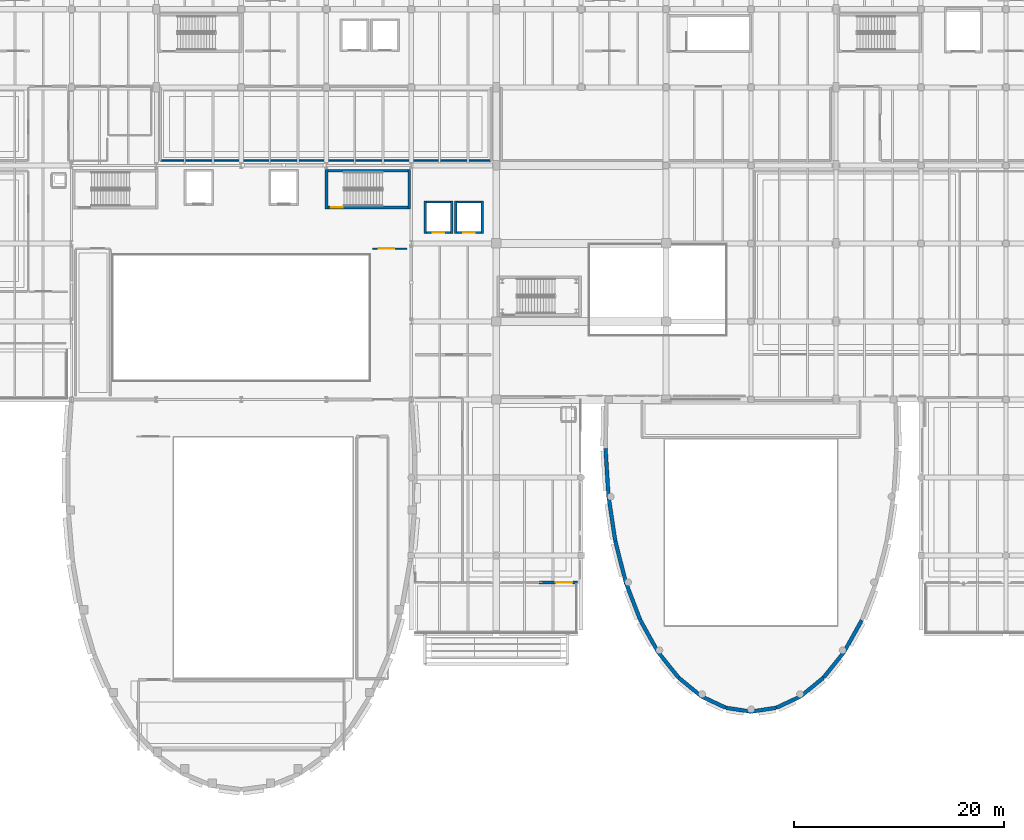
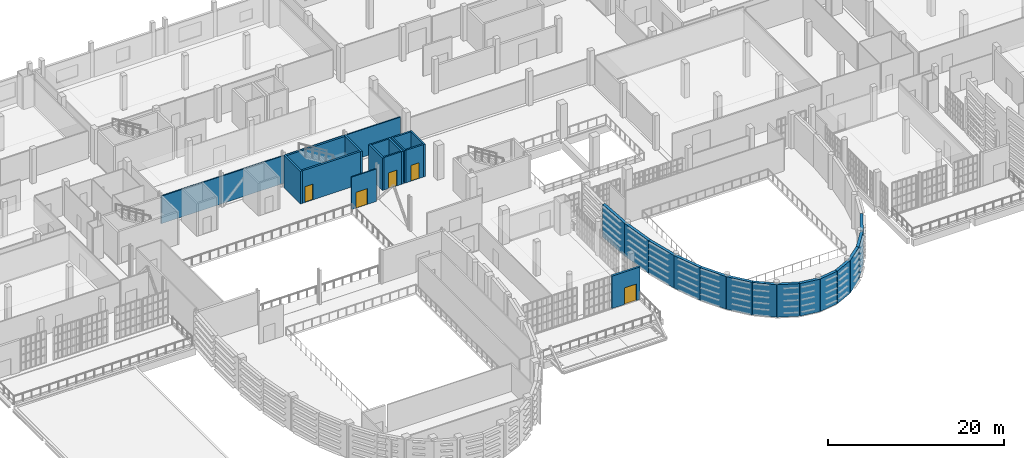
# One storey, part 89 of 104: 29 walls, 5 doors, 5 openings.
"""IFC4 building model written with IfcOpenShell, lengths in metres."""

from ifc_helpers import new_model, si_unit, direction, frame, frame_2d, origin, place, context, subcontext, project, spatial, rectangle, extrude, material, layer, layer_set, type_object, element, fill, save


model = new_model("IFC4")

# Units and contexts
model_context = context("Model", 3, precision=1e-05, world=origin(), true_north=direction((0.0, 1.0)))
body_context = subcontext(model_context, "Body", "Model", "MODEL_VIEW")
ifc_project = project(units=[si_unit("LENGTHUNIT", "METRE"), si_unit("AREAUNIT", "SQUARE_METRE"), si_unit("VOLUMEUNIT", "CUBIC_METRE"), si_unit("PLANEANGLEUNIT", "RADIAN"), si_unit("MASSUNIT", "GRAM", prefix="KILO")], contexts=[model_context])

# Site, building, storey
site_placement = place(None, origin())
site = spatial("IfcSite", under=ifc_project, at=site_placement, CompositionType="ELEMENT")
building_placement = place(site_placement, origin())
building = spatial("IfcBuilding", under=site, at=building_placement, Name="Kaelora Sail Theatre", CompositionType="ELEMENT")
storey_placement = place(building_placement, frame((0.0, 0.0, 5.39990234375)))
storey = spatial("IfcBuildingStorey", under=building, at=storey_placement, Name="L01", CompositionType="ELEMENT", Elevation=5.39990234375)

# Wall, opening, door
ifc_material_1 = material(Name="Concrete C40/50", Category="concrete")
ifc_layer_1 = layer(ifc_material_1, 0.25)
ifc_layer_set_1 = layer_set([ifc_layer_1], Name="Concrete C40/50")
wall_type_1 = type_object("IfcWallType", Name="ARC-WL-CW-250", PredefinedType="SHEAR", material=ifc_layer_set_1)
wall_1_placement = place(storey_placement, frame((50.2548828125, 79.324951171875, 0.0), z_axis=(0.0, 0.0, 1.0), x_axis=(1.0, 0.0, 0.0)))
wall_1 = element("IfcWall", 1, at=wall_1_placement, inside=storey, type_object=wall_type_1, Name="Stair shaft ST-K5 wall L01-S", PredefinedType="SHEAR", context=body_context, shape_type="SweptSolid", body=[
    extrude(rectangle(XDim=7.64013671875, YDim=0.25, at=frame_2d((3.820068359375, 0.0))), origin(), (0.0, 0.0, 1.0), 4.525146484375),
])
opening_1_placement = place(wall_1_placement, frame((0.320068359375, 0.0, 0.0)))
opening_1 = element("IfcOpeningElement", 2, at=opening_1_placement, cuts=wall_1, Name="Opening FD-02", PredefinedType="OPENING", context=body_context, shape_type="SweptSolid", body=[
    extrude(rectangle(XDim=1.10009765625, YDim=2.199951171875, at=frame_2d((0.550048828125, 1.10009765625))), frame((0.0, 0.135, 0.0), z_axis=(0.0, -1.0, 0.0), x_axis=(1.0, 0.0, 0.0)), (0.0, 0.0, 1.0), 0.27),
])
ifc_material_2 = material(Name="Acoustic steel single stair/lobby fire door EI 90-C", Category="steel")
door_type_1 = type_object("IfcDoorType", Name="ARC-DR-FD-02", OperationType="NOTDEFINED", PredefinedType="DOOR", material=ifc_material_2)
door_1_placement = place(opening_1_placement, origin())
door_1 = element("IfcDoor", 3, at=door_1_placement, inside=storey, type_object=door_type_1, Name="Stair ST-K5 door (L01)", OperationType="SINGLE_SWING_LEFT", OverallHeight=2.199951171875, OverallWidth=1.10009765625, PredefinedType="DOOR", context=body_context, shape_type="SweptSolid", body=[
    extrude(rectangle(XDim=1.10009765625, YDim=2.199951171875, at=frame_2d((0.550048828125, 1.10009765625))), frame((0.0, 0.02490234375, 0.0), z_axis=(0.0, -1.0, 0.0), x_axis=(1.0, 0.0, 0.0)), (0.0, 0.0, 1.0), 0.050048828125),
])
fill(opening_1, door_1)

# Walls
wall_2_placement = place(storey_placement, frame((50.2548828125, 82.824951171875, 0.0), z_axis=(0.0, 0.0, 1.0), x_axis=(1.0, 0.0, 0.0)))
element("IfcWall", 4, at=wall_2_placement, inside=storey, type_object=wall_type_1, Name="Stair shaft ST-K5 wall L01-N", PredefinedType="SHEAR", context=body_context, shape_type="SweptSolid", body=[
    extrude(rectangle(XDim=7.64013671875, YDim=0.25, at=frame_2d((3.820068359375, 0.0))), origin(), (0.0, 0.0, 1.0), 4.525146484375),
])
for number, where, z_axis, x_axis, name in (
    (5, (50.125, 79.199951171875, 0.0), (0.0, 0.0, 1.0), (0.0, 1.0, 0.0), "Stair shaft ST-K5 wall L01-W"),
    (6, (58.02490234375, 79.199951171875, 0.0), (0.0, 0.0, 1.0), (0.0, 1.0, 0.0), "Stair shaft ST-K5 wall L01-E"),
):
    element("IfcWall", number, at=place(storey_placement, frame(where, z_axis=z_axis, x_axis=x_axis)), inside=storey, type_object=wall_type_1, Name=name, PredefinedType="SHEAR", context=body_context, shape_type="SweptSolid", body=[
        extrude(rectangle(XDim=3.75, YDim=0.25, at=frame_2d((1.875, 0.0))), origin(), (0.0, 0.0, 1.0), 4.525146484375),
    ])
ifc_material_3 = material(Name="Concrete C45/55", Category="concrete")
ifc_layer_2 = layer(ifc_material_3, 0.360107421875)
ifc_layer_set_2 = layer_set([ifc_layer_2], Name="Concrete C45/55")
wall_type_2 = type_object("IfcWallType", Name="ARC-WL-DW-360", PredefinedType="SHEAR", material=ifc_layer_set_2)
wall_3_placement = place(storey_placement, frame((101.158203125, 39.9765625, 0.0), z_axis=(0.0, 0.0, 1.0), x_axis=(-0.4858221348, -0.874057694514, 0.0)))
element("IfcWall", 7, at=wall_3_placement, inside=storey, type_object=wall_type_2, Name="Studio Theatre Sail Drum curved drum acoustic wall L01 chord 6", PredefinedType="SHEAR", context=body_context, shape_type="SweptSolid", body=[
    extrude(rectangle(XDim=3.469970703125, YDim=0.360107421875, at=frame_2d((1.73486328125, 0.0))), origin(), (0.0, 0.0, 1.0), 4.525146484375),
])
wall_4_placement = place(storey_placement, frame((99.472412109375, 36.943603515625, 0.0), z_axis=(0.0, 0.0, 1.0), x_axis=(-0.626301385679, -0.779581024844, 0.0)))
element("IfcWall", 8, at=wall_4_placement, inside=storey, type_object=wall_type_2, Name="Studio Theatre Sail Drum curved drum acoustic wall L01 chord 7", PredefinedType="SHEAR", context=body_context, shape_type="SweptSolid", body=[
    extrude(rectangle(XDim=3.1298828125, YDim=0.360107421875, at=frame_2d((1.56494140625, 0.0))), origin(), (0.0, 0.0, 1.0), 4.525146484375),
])
wall_5_placement = place(storey_placement, frame((97.51220703125, 34.503662109375, 0.0), z_axis=(0.0, 0.0, 1.0), x_axis=(-0.772994903331, -0.634412231459, 0.0)))
element("IfcWall", 9, at=wall_5_placement, inside=storey, type_object=wall_type_2, Name="Studio Theatre Sail Drum curved drum acoustic wall L01 chord 8", PredefinedType="SHEAR", context=body_context, shape_type="SweptSolid", body=[
    extrude(rectangle(XDim=2.81689453125, YDim=0.360107421875, at=frame_2d((1.408447265625, 0.0))), origin(), (0.0, 0.0, 1.0), 4.525146484375),
])
wall_6_placement = place(storey_placement, frame((95.334716796875, 32.716552734375, 0.0), z_axis=(0.0, 0.0, 1.0), x_axis=(-0.905675487445, -0.423971592728, 0.0)))
element("IfcWall", 10, at=wall_6_placement, inside=storey, type_object=wall_type_2, Name="Studio Theatre Sail Drum curved drum acoustic wall L01 chord 9", PredefinedType="SHEAR", context=body_context, shape_type="SweptSolid", body=[
    extrude(rectangle(XDim=2.571044921875, YDim=0.360107421875, at=frame_2d((1.28564453125, 0.0))), origin(), (0.0, 0.0, 1.0), 4.525146484375),
])
for number, where, z_axis, x_axis, name in (
    (11, (93.006103515625, 31.62646484375, 0.0), (0.0, 0.0, 1.0), (-0.988599043905, -0.150572010645, 0.0), "Studio Theatre Sail Drum curved drum acoustic wall L01 chord 10"),
    (12, (90.60009765625, 31.260009765625, 0.0), (0.0, 0.0, 1.0), (-0.988599043905, 0.150572010645, 0.0), "Studio Theatre Sail Drum curved drum acoustic wall L01 chord 11"),
):
    element("IfcWall", number, at=place(storey_placement, frame(where, z_axis=z_axis, x_axis=x_axis)), inside=storey, type_object=wall_type_2, Name=name, PredefinedType="SHEAR", context=body_context, shape_type="SweptSolid", body=[
        extrude(rectangle(XDim=2.433837890625, YDim=0.360107421875, at=frame_2d((1.216796875, 0.0))), origin(), (0.0, 0.0, 1.0), 4.525146484375),
    ])
wall_7_placement = place(storey_placement, frame((88.194091796875, 31.62646484375, 0.0), z_axis=(0.0, 0.0, 1.0), x_axis=(-0.905692553487, 0.423935134848, 0.0)))
element("IfcWall", 13, at=wall_7_placement, inside=storey, type_object=wall_type_2, Name="Studio Theatre Sail Drum curved drum acoustic wall L01 chord 12", PredefinedType="SHEAR", context=body_context, shape_type="SweptSolid", body=[
    extrude(rectangle(XDim=2.5712890625, YDim=0.360107421875, at=frame_2d((1.28564453125, 0.0))), origin(), (0.0, 0.0, 1.0), 4.525146484375),
])
wall_8_placement = place(storey_placement, frame((85.865234375, 32.716552734375, 0.0), z_axis=(0.0, 0.0, 1.0), x_axis=(-0.772994903331, 0.634412231459, 0.0)))
element("IfcWall", 14, at=wall_8_placement, inside=storey, type_object=wall_type_2, Name="Studio Theatre Sail Drum curved drum acoustic wall L01 chord 13", PredefinedType="SHEAR", context=body_context, shape_type="SweptSolid", body=[
    extrude(rectangle(XDim=2.81689453125, YDim=0.360107421875, at=frame_2d((1.408447265625, 0.0))), origin(), (0.0, 0.0, 1.0), 4.525146484375),
])
wall_9_placement = place(storey_placement, frame((83.687744140625, 34.503662109375, 0.0), z_axis=(0.0, 0.0, 1.0), x_axis=(-0.62625397499, 0.779619111367, 0.0)))
element("IfcWall", 15, at=wall_9_placement, inside=storey, type_object=wall_type_2, Name="Studio Theatre Sail Drum curved drum acoustic wall L01 chord 14", PredefinedType="SHEAR", context=body_context, shape_type="SweptSolid", body=[
    extrude(rectangle(XDim=3.129638671875, YDim=0.360107421875, at=frame_2d((1.56494140625, 0.0))), origin(), (0.0, 0.0, 1.0), 4.525146484375),
])
wall_10_placement = place(storey_placement, frame((81.727783203125, 36.943603515625, 0.0), z_axis=(0.0, 0.0, 1.0), x_axis=(-0.4858221348, 0.874057694514, 0.0)))
element("IfcWall", 16, at=wall_10_placement, inside=storey, type_object=wall_type_2, Name="Studio Theatre Sail Drum curved drum acoustic wall L01 chord 15", PredefinedType="SHEAR", context=body_context, shape_type="SweptSolid", body=[
    extrude(rectangle(XDim=3.469970703125, YDim=0.360107421875, at=frame_2d((1.73486328125, 0.0))), origin(), (0.0, 0.0, 1.0), 4.525146484375),
])
wall_11_placement = place(storey_placement, frame((80.0419921875, 39.9765625, 0.0), z_axis=(0.0, 0.0, 1.0), x_axis=(-0.359301516444, 0.933221527978, 0.0)))
element("IfcWall", 17, at=wall_11_placement, inside=storey, type_object=wall_type_2, Name="Studio Theatre Sail Drum curved drum acoustic wall L01 chord 16", PredefinedType="SHEAR", context=body_context, shape_type="SweptSolid", body=[
    extrude(rectangle(XDim=3.80517578125, YDim=0.360107421875, at=frame_2d((1.902587890625, 0.0))), origin(), (0.0, 0.0, 1.0), 4.525146484375),
])
wall_12_placement = place(storey_placement, frame((78.6748046875, 43.527587890625, 0.0), z_axis=(0.0, 0.0, 1.0), x_axis=(-0.247662085518, 0.968846474627, 0.0)))
element("IfcWall", 18, at=wall_12_placement, inside=storey, type_object=wall_type_2, Name="Studio Theatre Sail Drum curved drum acoustic wall L01 chord 17", PredefinedType="SHEAR", context=body_context, shape_type="SweptSolid", body=[
    extrude(rectangle(XDim=4.109619140625, YDim=0.360107421875, at=frame_2d((2.0546875, 0.0))), origin(), (0.0, 0.0, 1.0), 4.525146484375),
])
wall_13_placement = place(storey_placement, frame((77.656982421875, 47.50927734375, 0.0), z_axis=(0.0, 0.0, 1.0), x_axis=(-0.149391002348, 0.988778199809, 0.0)))
element("IfcWall", 19, at=wall_13_placement, inside=storey, type_object=wall_type_2, Name="Studio Theatre Sail Drum curved drum acoustic wall L01 chord 18", PredefinedType="SHEAR", context=body_context, shape_type="SweptSolid", body=[
    extrude(rectangle(XDim=4.363525390625, YDim=0.360107421875, at=frame_2d((2.181640625, 0.0))), origin(), (0.0, 0.0, 1.0), 4.525146484375),
])
wall_14_placement = place(storey_placement, frame((77.005126953125, 51.82373046875, 0.0), z_axis=(0.0, 0.0, 1.0), x_axis=(-0.062087628492, 0.998070702099, 0.0)))
element("IfcWall", 20, at=wall_14_placement, inside=storey, type_object=wall_type_2, Name="Studio Theatre Sail Drum curved drum acoustic wall L01 chord 19", PredefinedType="SHEAR", context=body_context, shape_type="SweptSolid", body=[
    extrude(rectangle(XDim=4.549560546875, YDim=0.360107421875, at=frame_2d((2.27490234375, 0.0))), origin(), (0.0, 0.0, 1.0), 4.525146484375),
])

# Wall, opening, door
ifc_material_4 = material(Name="Precast concrete C45/55", Category="concrete")
ifc_layer_3 = layer(ifc_material_4, 0.280029296875)
ifc_layer_set_3 = layer_set([ifc_layer_3], Name="Precast concrete C45/55")
wall_type_3 = type_object("IfcWallType", Name="ARC-WL-EW-280", PredefinedType="SOLIDWALL", material=ifc_layer_set_3)
wall_15_placement = place(storey_placement, frame((74.070068359375, 43.590087890625, 0.0), z_axis=(0.0, 0.0, 1.0), x_axis=(-1.0, 0.0, 0.0)))
wall_15 = element("IfcWall", 21, at=wall_15_placement, inside=storey, type_object=wall_type_3, Name="West Interstitial Foyer Portal Pier (L01)", PredefinedType="SOLIDWALL", context=body_context, shape_type="SweptSolid", body=[
    extrude(rectangle(XDim=3.7099609375, YDim=0.280029296875, at=frame_2d((1.85498046875, 0.0))), origin(), (0.0, 0.0, 1.0), 4.505126953125),
])
opening_2_placement = place(wall_15_placement, frame((0.5, 0.0, 0.0)))
opening_2 = element("IfcOpeningElement", 22, at=opening_2_placement, cuts=wall_15, Name="Opening ED-05", PredefinedType="OPENING", context=body_context, shape_type="SweptSolid", body=[
    extrude(rectangle(XDim=1.60009765625, YDim=2.300048828125, at=frame_2d((0.800048828125, 1.14990234375))), frame((0.0, 0.150137, 0.0), z_axis=(0.0, -1.0, 0.0), x_axis=(1.0, 0.0, 0.0)), (0.0, 0.0, 1.0), 0.300029),
])
ifc_material_5 = material(Name="Terrace glazed double swing door", Category="aluminium")
door_type_2 = type_object("IfcDoorType", Name="ARC-DR-ED-05", OperationType="NOTDEFINED", PredefinedType="DOOR", material=ifc_material_5)
door_2_placement = place(opening_2_placement, origin())
door_2 = element("IfcDoor", 23, at=door_2_placement, inside=storey, type_object=door_type_2, Name="West Interstitial Foyer Entrance/Terrace Door (L01)", OperationType="DOUBLE_DOOR_SINGLE_SWING", OverallHeight=2.300048828125, OverallWidth=1.60009765625, PredefinedType="DOOR", context=body_context, shape_type="SweptSolid", body=[
    extrude(rectangle(XDim=1.60009765625, YDim=2.300048828125, at=frame_2d((0.800048828125, 1.14990234375))), frame((0.0, 0.02490234375, 0.0), z_axis=(0.0, -1.0, 0.0), x_axis=(1.0, 0.0, 0.0)), (0.0, 0.0, 1.0), 0.050048828125),
])
fill(opening_2, door_2)

ifc_material_6 = material(Name="Demountable acoustic studio wall 150 mm", Category="timber")
ifc_layer_4 = layer(ifc_material_6, 0.14990234375)
ifc_layer_set_4 = layer_set([ifc_layer_4], Name="Demountable acoustic studio wall 150 mm")
wall_type_4 = type_object("IfcWallType", Name="ARC-WL-MV-150", PredefinedType="MOVABLE", material=ifc_layer_set_4)
wall_16_placement = place(storey_placement, frame((54.5, 75.39990234375, 0.0), z_axis=(0.0, 0.0, 1.0), x_axis=(1.0, 0.0, 0.0)))
wall_16 = element("IfcWall", 24, at=wall_16_placement, inside=storey, type_object=wall_type_4, Name="Interior acoustic partition L01-FLY-GAL2/L01-COR-FLY", PredefinedType="MOVABLE", context=body_context, shape_type="SweptSolid", body=[
    extrude(rectangle(XDim=3.300048828125, YDim=0.14990234375, at=frame_2d((1.64990234375, 0.0))), origin(), (0.0, 0.0, 1.0), 4.505126953125),
])
opening_3_placement = place(wall_16_placement, frame((0.580078125, 0.0, 0.0)))
opening_3 = element("IfcOpeningElement", 25, at=opening_3_placement, cuts=wall_16, Name="Opening FD-01", PredefinedType="OPENING", context=body_context, shape_type="SweptSolid", body=[
    extrude(rectangle(XDim=1.5, YDim=2.199951171875, at=frame_2d((0.75, 1.10009765625))), frame((0.0, 0.084951, 0.0), z_axis=(0.0, -1.0, 0.0), x_axis=(1.0, 0.0, 0.0)), (0.0, 0.0, 1.0), 0.169902),
])
ifc_material_7 = material(Name="Acoustic steel double fire door EI 90-C", Category="steel")
door_type_3 = type_object("IfcDoorType", Name="ARC-DR-FD-01", OperationType="NOTDEFINED", PredefinedType="DOOR", material=ifc_material_7)
door_3_placement = place(opening_3_placement, origin())
door_3 = element("IfcDoor", 26, at=door_3_placement, inside=storey, type_object=door_type_3, Name="Interior door L01-FLY-GAL2 to L01-COR-FLY", OperationType="DOUBLE_DOOR_SINGLE_SWING", OverallHeight=2.199951171875, OverallWidth=1.5, PredefinedType="DOOR", context=body_context, shape_type="SweptSolid", body=[
    extrude(rectangle(XDim=1.5, YDim=2.199951171875, at=frame_2d((0.75, 1.10009765625))), frame((0.0, 0.02490234375, 0.0), z_axis=(0.0, -1.0, 0.0), x_axis=(1.0, 0.0, 0.0)), (0.0, 0.0, 1.0), 0.050048828125),
])
fill(opening_3, door_3)

# Wall
ifc_material_8 = material(Name="Acoustic metal-stud plasterboard 160 mm", Category="gypsum")
ifc_layer_5 = layer(ifc_material_8, 0.159912109375)
ifc_layer_set_5 = layer_set([ifc_layer_5], Name="Acoustic metal-stud plasterboard 160 mm")
wall_type_5 = type_object("IfcWallType", Name="ARC-WL-PT-160", PredefinedType="PARTITIONING", material=ifc_layer_set_5)
wall_17_placement = place(storey_placement, frame((34.300048828125, 83.800048828125, 0.0), z_axis=(0.0, 0.0, 1.0), x_axis=(1.0, 0.0, 0.0)))
element("IfcWall", 27, at=wall_17_placement, inside=storey, type_object=wall_type_5, Name="Room enclosure wall L01-WIG-MAKEUP-S1", PredefinedType="PARTITIONING", context=body_context, shape_type="SweptSolid", body=[
    extrude(rectangle(XDim=31.5, YDim=0.159912109375, at=frame_2d((15.75, 0.0))), origin(), (0.0, 0.0, 1.0), 3.837158203125),
])

# Wall, opening, door
ifc_material_9 = material(Name="Concrete C40/50", Category="concrete")
ifc_layer_6 = layer(ifc_material_9, 0.219970703125)
ifc_layer_set_6 = layer_set([ifc_layer_6], Name="Concrete C40/50")
wall_type_6 = type_object("IfcWallType", Name="ARC-WL-SW-220", PredefinedType="SOLIDWALL", material=ifc_layer_set_6)
wall_18_placement = place(storey_placement, frame((59.64990234375, 76.93994140625, 0.0), z_axis=(0.0, 0.0, 1.0), x_axis=(1.0, 0.0, 0.0)))
wall_18 = element("IfcWall", 28, at=wall_18_placement, inside=storey, type_object=wall_type_6, Name="Lift PL-01 shaft wall L01-S", PredefinedType="SOLIDWALL", context=body_context, shape_type="SweptSolid", body=[
    extrude(rectangle(XDim=2.300048828125, YDim=0.219970703125, at=frame_2d((1.14990234375, 0.0))), origin(), (0.0, 0.0, 1.0), 4.525146484375),
])
opening_4_placement = place(wall_18_placement, frame((0.60009765625, 0.0, 0.0)))
opening_4 = element("IfcOpeningElement", 29, at=opening_4_placement, cuts=wall_18, Name="Opening LD-PAX", PredefinedType="OPENING", context=body_context, shape_type="SweptSolid", body=[
    extrude(rectangle(XDim=1.10009765625, YDim=2.199951171875, at=frame_2d((0.550048828125, 1.10009765625))), frame((0.0, 0.119863, 0.0), z_axis=(0.0, -1.0, 0.0), x_axis=(1.0, 0.0, 0.0)), (0.0, 0.0, 1.0), 0.239971),
])
ifc_material_10 = material(Name="Brushed bronze passenger lift landing door EI 90", Category="steel")
door_type_4 = type_object("IfcDoorType", Name="ARC-DR-LD-PAX", OperationType="NOTDEFINED", PredefinedType="DOOR", material=ifc_material_10)
door_4_placement = place(opening_4_placement, origin())
door_4 = element("IfcDoor", 30, at=door_4_placement, inside=storey, type_object=door_type_4, Name="Lift PL-01 sliding landing door (L01)", OperationType="SLIDING_TO_LEFT", OverallHeight=2.199951171875, OverallWidth=1.10009765625, PredefinedType="DOOR", context=body_context, shape_type="SweptSolid", body=[
    extrude(rectangle(XDim=1.10009765625, YDim=2.199951171875, at=frame_2d((0.550048828125, 1.10009765625))), frame((0.0, 0.02490234375, 0.0), z_axis=(0.0, -1.0, 0.0), x_axis=(1.0, 0.0, 0.0)), (0.0, 0.0, 1.0), 0.050048828125),
])
fill(opening_4, door_4)

# Walls
wall_19_placement = place(storey_placement, frame((59.64990234375, 79.860107421875, 0.0), z_axis=(0.0, 0.0, 1.0), x_axis=(1.0, 0.0, 0.0)))
element("IfcWall", 31, at=wall_19_placement, inside=storey, type_object=wall_type_6, Name="Lift PL-01 shaft wall L01-N", PredefinedType="SOLIDWALL", context=body_context, shape_type="SweptSolid", body=[
    extrude(rectangle(XDim=2.300048828125, YDim=0.219970703125, at=frame_2d((1.14990234375, 0.0))), origin(), (0.0, 0.0, 1.0), 4.525146484375),
])
for number, where, z_axis, x_axis, name in (
    (32, (59.5400390625, 76.830078125, 0.0), (0.0, 0.0, 1.0), (0.0, 1.0, 0.0), "Lift PL-01 shaft wall L01-W"),
    (33, (62.06005859375, 76.830078125, 0.0), (0.0, 0.0, 1.0), (0.0, 1.0, 0.0), "Lift PL-01 shaft wall L01-E"),
):
    element("IfcWall", number, at=place(storey_placement, frame(where, z_axis=z_axis, x_axis=x_axis)), inside=storey, type_object=wall_type_6, Name=name, PredefinedType="SOLIDWALL", context=body_context, shape_type="SweptSolid", body=[
        extrude(rectangle(XDim=3.139892578125, YDim=0.219970703125, at=frame_2d((1.56982421875, 0.0))), origin(), (0.0, 0.0, 1.0), 4.525146484375),
    ])

# Wall, opening, door
wall_20_placement = place(storey_placement, frame((62.550048828125, 76.93994140625, 0.0), z_axis=(0.0, 0.0, 1.0), x_axis=(1.0, 0.0, 0.0)))
wall_20 = element("IfcWall", 34, at=wall_20_placement, inside=storey, type_object=wall_type_6, Name="Lift PL-02 shaft wall L01-S", PredefinedType="SOLIDWALL", context=body_context, shape_type="SweptSolid", body=[
    extrude(rectangle(XDim=2.300048828125, YDim=0.219970703125, at=frame_2d((1.14990234375, 0.0))), origin(), (0.0, 0.0, 1.0), 4.525146484375),
])
opening_5_placement = place(wall_20_placement, frame((0.60009765625, 0.0, 0.0)))
opening_5 = element("IfcOpeningElement", 35, at=opening_5_placement, cuts=wall_20, Name="Opening LD-PAX", PredefinedType="OPENING", context=body_context, shape_type="SweptSolid", body=[
    extrude(rectangle(XDim=1.10009765625, YDim=2.199951171875, at=frame_2d((0.550048828125, 1.10009765625))), frame((0.0, 0.119863, 0.0), z_axis=(0.0, -1.0, 0.0), x_axis=(1.0, 0.0, 0.0)), (0.0, 0.0, 1.0), 0.239971),
])
door_5_placement = place(opening_5_placement, origin())
door_5 = element("IfcDoor", 36, at=door_5_placement, inside=storey, type_object=door_type_4, Name="Lift PL-02 sliding landing door (L01)", OperationType="SLIDING_TO_LEFT", OverallHeight=2.199951171875, OverallWidth=1.10009765625, PredefinedType="DOOR", context=body_context, shape_type="SweptSolid", body=[
    extrude(rectangle(XDim=1.10009765625, YDim=2.199951171875, at=frame_2d((0.550048828125, 1.10009765625))), frame((0.0, 0.02490234375, 0.0), z_axis=(0.0, -1.0, 0.0), x_axis=(1.0, 0.0, 0.0)), (0.0, 0.0, 1.0), 0.050048828125),
])
fill(opening_5, door_5)

# Walls
wall_21_placement = place(storey_placement, frame((62.550048828125, 79.860107421875, 0.0), z_axis=(0.0, 0.0, 1.0), x_axis=(1.0, 0.0, 0.0)))
element("IfcWall", 37, at=wall_21_placement, inside=storey, type_object=wall_type_6, Name="Lift PL-02 shaft wall L01-N", PredefinedType="SOLIDWALL", context=body_context, shape_type="SweptSolid", body=[
    extrude(rectangle(XDim=2.300048828125, YDim=0.219970703125, at=frame_2d((1.14990234375, 0.0))), origin(), (0.0, 0.0, 1.0), 4.525146484375),
])
for number, where, z_axis, x_axis, name in (
    (38, (62.43994140625, 76.830078125, 0.0), (0.0, 0.0, 1.0), (0.0, 1.0, 0.0), "Lift PL-02 shaft wall L01-W"),
    (39, (64.9599609375, 76.830078125, 0.0), (0.0, 0.0, 1.0), (0.0, 1.0, 0.0), "Lift PL-02 shaft wall L01-E"),
):
    element("IfcWall", number, at=place(storey_placement, frame(where, z_axis=z_axis, x_axis=x_axis)), inside=storey, type_object=wall_type_6, Name=name, PredefinedType="SOLIDWALL", context=body_context, shape_type="SweptSolid", body=[
        extrude(rectangle(XDim=3.139892578125, YDim=0.219970703125, at=frame_2d((1.56982421875, 0.0))), origin(), (0.0, 0.0, 1.0), 4.525146484375),
    ])

save(model, "model.ifc")
